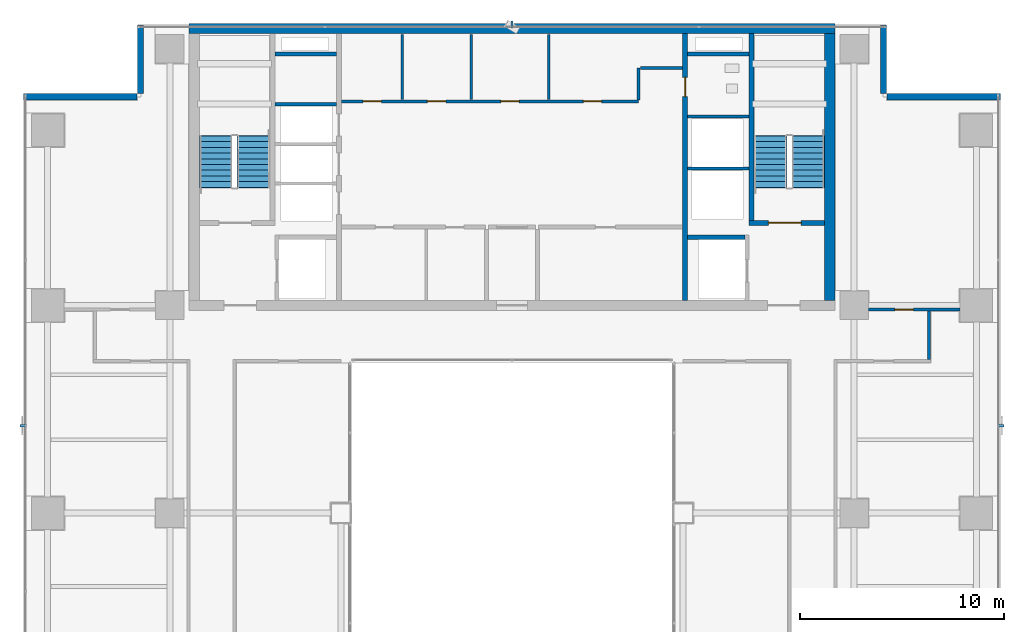
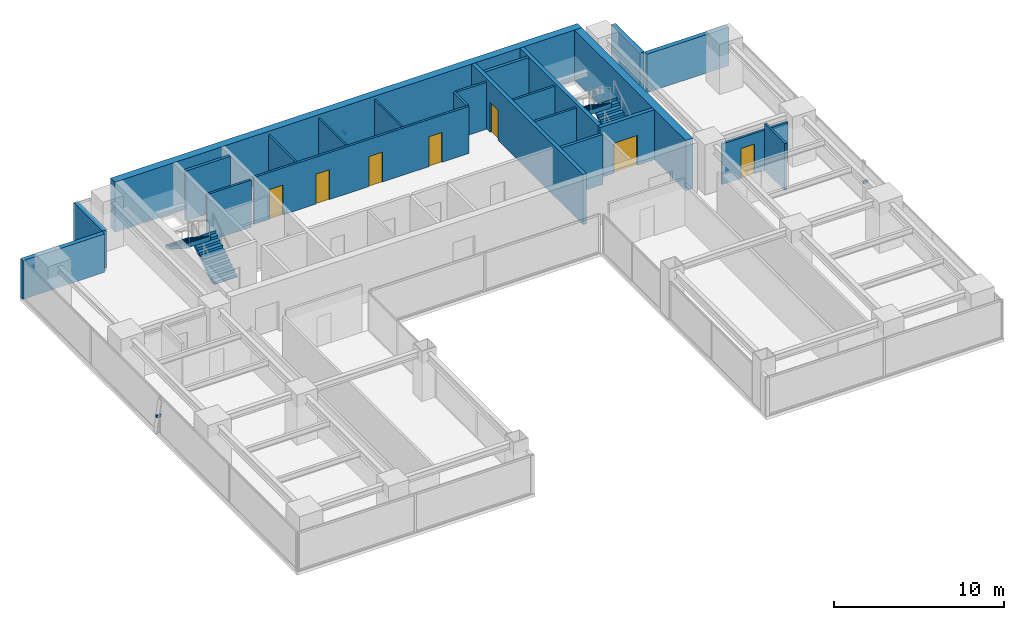
# One storey, part 25 of 28: 23 walls, 7 doors, 4 stair flights, 3 discrete accessories, 7 openings, 2 elements without a shape of their own.
"""IFC4 building model written with IfcOpenShell, lengths in metres."""

from ifc_helpers import new_model, si_unit, direction, frame, frame_2d, origin, origin_2d, place, context, subcontext, project, spatial, polyline, rectangle, outline, extrude, source, transform, mapped, material, layer, layer_set, material_profile, profile_set, type_object, element, fill, aggregate, save


model = new_model("IFC4")

# Units and contexts
model_context = context("Model", 3, precision=1e-05, world=origin(), true_north=direction((0.0, 1.0)))
body_context = subcontext(model_context, "Body", "Model", "MODEL_VIEW")
ifc_project = project(units=[si_unit("LENGTHUNIT", "METRE"), si_unit("AREAUNIT", "SQUARE_METRE"), si_unit("VOLUMEUNIT", "CUBIC_METRE"), si_unit("PLANEANGLEUNIT", "RADIAN"), si_unit("MASSUNIT", "GRAM", prefix="KILO")], contexts=[model_context])

# Site, building, storey
site_placement = place(None, origin())
site = spatial("IfcSite", under=ifc_project, at=site_placement, CompositionType="ELEMENT")
building_placement = place(site_placement, origin())
building = spatial("IfcBuilding", under=site, at=building_placement, Name="Sumidabori Civic Tower", CompositionType="ELEMENT")
storey_placement = place(building_placement, frame((0.0, 0.0, 210.800048828125)))
storey = spatial("IfcBuildingStorey", under=building, at=storey_placement, Name="L54", CompositionType="ELEMENT", Elevation=210.800048828125)

# Walls
ifc_material_1 = material(Name="Concrete C50/60", Category="concrete")
ifc_layer_1 = layer(ifc_material_1, 0.199951171875, Name="Concrete C50/60")
ifc_layer_set_1 = layer_set([ifc_layer_1], Name="Concrete C50/60")
wall_type_1 = type_object("IfcWallType", Name="WL-SHAFT-200", PredefinedType="SHEAR", material=ifc_layer_set_1)
shared_shape_1 = source(origin(), body_context, "Body", "SweptSolid", [
    extrude(rectangle(XDim=2.824951171875, YDim=0.199951171875, at=frame_2d((1.41259765625, 0.0))), origin(), (0.0, 0.0, 1.0), 3.599853515625),
])
wall_1_placement = place(storey_placement, frame((8.625, 13.550048828125, 0.0), z_axis=(0.0, 0.0, 1.0), x_axis=(1.0, 0.0, 0.0)))
element("IfcWall", 1, at=wall_1_placement, inside=storey, type_object=wall_type_1, Name="Core Shear Wall L54 EL2-N", PredefinedType="SHEAR", context=body_context, shape_type="MappedRepresentation", body=[
    mapped(shared_shape_1, transform((0.0, 0.0, 0.0), x_axis=(1.0, 0.0, 0.0), y_axis=(0.0, 1.0, 0.0), z_axis=(0.0, 0.0, 1.0), scale=1.0)),
])
shared_shape_2 = source(origin(), body_context, "Body", "SweptSolid", [
    extrude(rectangle(XDim=3.02001953125, YDim=0.199951171875, at=frame_2d((1.510009765625, 0.0))), origin(), (0.0, 0.0, 1.0), 3.599853515625),
])
for number, where, z_axis, x_axis, name in (
    (2, (-11.64501953125, 22.550048828125, 0.0), (0.0, 0.0, 1.0), (1.0, 0.0, 0.0), "Core Shear Wall L54 RIS1-S"),
    (3, (8.625, 22.550048828125, 0.0), (0.0, 0.0, 1.0), (1.0, 0.0, 0.0), "Core Shear Wall L54 RIS2-S"),
):
    element("IfcWall", number, at=place(storey_placement, frame(where, z_axis=z_axis, x_axis=x_axis)), inside=storey, type_object=wall_type_1, Name=name, PredefinedType="SHEAR", context=body_context, shape_type="MappedRepresentation", body=[
        mapped(shared_shape_2, transform((0.0, 0.0, 0.0), x_axis=(1.0, 0.0, 0.0), y_axis=(0.0, 1.0, 0.0), z_axis=(0.0, 0.0, 1.0), scale=1.0)),
    ])
ifc_layer_2 = layer(ifc_material_1, 0.5, Name="Concrete C50/60")
ifc_layer_set_2 = layer_set([ifc_layer_2], Name="Concrete C50/60")
wall_type_2 = type_object("IfcWallType", Name="WL-CORE-500", PredefinedType="SHEAR", material=ifc_layer_set_2)
shared_shape_3 = source(origin(), body_context, "Body", "SweptSolid", [
    extrude(rectangle(XDim=31.7001953125, YDim=0.5, at=frame_2d((15.85009765625, 0.0))), origin(), (0.0, 0.0, 1.0), 3.599853515625),
])
wall_2_placement = place(storey_placement, frame((-15.85009765625, 23.800048828125, 0.0), z_axis=(0.0, 0.0, 1.0), x_axis=(1.0, 0.0, 0.0)))
element("IfcWall", 4, at=wall_2_placement, inside=storey, type_object=wall_type_2, Name="Core Shear Wall L54 N", PredefinedType="SHEAR", context=body_context, shape_type="MappedRepresentation", body=[
    mapped(shared_shape_3, transform((0.0, 0.0, 0.0), x_axis=(1.0, 0.0, 0.0), y_axis=(0.0, 1.0, 0.0), z_axis=(0.0, 0.0, 1.0), scale=1.0)),
])
shared_shape_4 = source(origin(), body_context, "Body", "SweptSolid", [
    extrude(rectangle(XDim=13.10009765625, YDim=0.5, at=frame_2d((6.550048828125, 0.0))), origin(), (0.0, 0.0, 1.0), 3.599853515625),
])
wall_3_placement = place(storey_placement, frame((15.60009765625, 10.449951171875, 0.0), z_axis=(0.0, 0.0, 1.0), x_axis=(0.0, 1.0, 0.0)))
element("IfcWall", 5, at=wall_3_placement, inside=storey, type_object=wall_type_2, Name="Core Shear Wall L54 E", PredefinedType="SHEAR", context=body_context, shape_type="MappedRepresentation", body=[
    mapped(shared_shape_4, transform((0.0, 0.0, 0.0), x_axis=(1.0, 0.0, 0.0), y_axis=(0.0, 1.0, 0.0), z_axis=(0.0, 0.0, 1.0), scale=1.0)),
])

# Wall, opening, door
ifc_layer_3 = layer(ifc_material_1, 0.25, Name="Concrete C50/60")
ifc_layer_set_3 = layer_set([ifc_layer_3], Name="Concrete C50/60")
wall_type_3 = type_object("IfcWallType", Name="WL-SHAFT-250", PredefinedType="SHEAR", material=ifc_layer_set_3)
shared_shape_5 = source(origin(), body_context, "Body", "SweptSolid", [
    extrude(rectangle(XDim=13.10009765625, YDim=0.25, at=frame_2d((6.550048828125, 0.0))), origin(), (0.0, 0.0, 1.0), 3.599853515625),
])
wall_4_placement = place(storey_placement, frame((8.5, 10.449951171875, 0.0), z_axis=(0.0, 0.0, 1.0), x_axis=(0.0, 1.0, 0.0)))
wall_4 = element("IfcWall", 6, at=wall_4_placement, inside=storey, type_object=wall_type_3, Name="Core Shear Wall L54 WEB-E", PredefinedType="SHEAR", context=body_context, shape_type="MappedRepresentation", body=[
    mapped(shared_shape_5, transform((0.0, 0.0, 0.0), x_axis=(1.0, 0.0, 0.0), y_axis=(0.0, 1.0, 0.0), z_axis=(0.0, 0.0, 1.0), scale=1.0)),
])
opening_1_placement = place(wall_4_placement, frame((10.0, 0.0, 0.0)))
opening_1 = element("IfcOpeningElement", 7, at=opening_1_placement, cuts=wall_4, Name="Opening DR-2", PredefinedType="OPENING", context=body_context, shape_type="SweptSolid", body=[
    extrude(rectangle(XDim=0.949951171875, YDim=2.14990234375, at=frame_2d((0.47509765625, 1.074951171875))), frame((0.0, 0.136962890625, 0.0), z_axis=(0.0, -1.0, 0.0), x_axis=(1.0, 0.0, 0.0)), (0.0, 0.0, 1.0), 0.27392578125),
])
ifc_material_2 = material(Name="Japanese Hinoki Timber", Category="wood")
door_type_1 = type_object("IfcDoorType", Name="DR-INT-950", OperationType="NOTDEFINED", PredefinedType="DOOR", material=ifc_material_2)
shared_shape_6 = source(origin(), body_context, "Body", "SweptSolid", [
    extrude(rectangle(XDim=0.949951171875, YDim=2.14990234375, at=frame_2d((0.47509765625, 1.074951171875))), frame((0.0, 0.02490234375, 0.0), z_axis=(0.0, -1.0, 0.0), x_axis=(1.0, 0.0, 0.0)), (0.0, 0.0, 1.0), 0.050048828125),
])
door_1_placement = place(opening_1_placement, origin())
door_1 = element("IfcDoor", 8, at=door_1_placement, inside=storey, type_object=door_type_1, Name="Door DR:L54:WC-ACC", OperationType="SINGLE_SWING_RIGHT", OverallHeight=2.14990234375, OverallWidth=0.949951171875, PredefinedType="DOOR", context=body_context, shape_type="MappedRepresentation", body=[
    mapped(shared_shape_6, transform((0.0, 0.0, 0.0), x_axis=(1.0, 0.0, 0.0), y_axis=(0.0, 1.0, 0.0), z_axis=(0.0, 0.0, 1.0), scale=1.0)),
])
fill(opening_1, door_1)

shared_shape_7 = source(origin(), body_context, "Body", "SweptSolid", [
    extrude(rectangle(XDim=3.705078125, YDim=0.25, at=frame_2d((1.8525390625, 0.0))), origin(), (0.0, 0.0, 1.0), 3.599853515625),
])
wall_5_placement = place(storey_placement, frame((11.64501953125, 14.25, 0.0), z_axis=(0.0, 0.0, 1.0), x_axis=(1.0, 0.0, 0.0)))
wall_5 = element("IfcWall", 9, at=wall_5_placement, inside=storey, type_object=wall_type_3, Name="Core Shear Wall L54 ST2-S", PredefinedType="SHEAR", context=body_context, shape_type="MappedRepresentation", body=[
    mapped(shared_shape_7, transform((0.0, 0.0, 0.0), x_axis=(1.0, 0.0, 0.0), y_axis=(0.0, 1.0, 0.0), z_axis=(0.0, 0.0, 1.0), scale=1.0)),
])
opening_2_placement = place(wall_5_placement, frame((0.949951171875, 0.0, 0.0)))
opening_2 = element("IfcOpeningElement", 10, at=opening_2_placement, cuts=wall_5, Name="Opening DR-FD4", PredefinedType="OPENING", context=body_context, shape_type="SweptSolid", body=[
    extrude(rectangle(XDim=1.60009765625, YDim=2.14990234375, at=frame_2d((0.800048828125, 1.074951171875))), frame((0.0, 0.136962890625, 0.0), z_axis=(0.0, -1.0, 0.0), x_axis=(1.0, 0.0, 0.0)), (0.0, 0.0, 1.0), 0.27392578125),
])
ifc_material_3 = material(Name="Steel SN490", Category="steel")
door_type_2 = type_object("IfcDoorType", Name="DR-FD4", OperationType="DOUBLE_DOOR_SINGLE_SWING", PredefinedType="DOOR", material=ifc_material_3)
shared_shape_8 = source(origin(), body_context, "Body", "SweptSolid", [
    extrude(rectangle(XDim=1.60009765625, YDim=2.14990234375, at=frame_2d((0.800048828125, 1.074951171875))), frame((0.0, 0.02490234375, 0.0), z_axis=(0.0, -1.0, 0.0), x_axis=(1.0, 0.0, 0.0)), (0.0, 0.0, 1.0), 0.050048828125),
])
door_2_placement = place(opening_2_placement, origin())
door_2 = element("IfcDoor", 11, at=door_2_placement, inside=storey, type_object=door_type_2, Name="Door DR:L54:ST2", OperationType="DOUBLE_DOOR_SINGLE_SWING", OverallHeight=2.14990234375, OverallWidth=1.60009765625, PredefinedType="DOOR", context=body_context, shape_type="MappedRepresentation", body=[
    mapped(shared_shape_8, transform((0.0, 0.0, 0.0), x_axis=(1.0, 0.0, 0.0), y_axis=(0.0, 1.0, 0.0), z_axis=(0.0, 0.0, 1.0), scale=1.0)),
])
fill(opening_2, door_2)

# Walls
shared_shape_9 = source(origin(), body_context, "Body", "SweptSolid", [
    extrude(rectangle(XDim=9.175048828125, YDim=0.25, at=frame_2d((4.58740234375, 0.0))), origin(), (0.0, 0.0, 1.0), 3.599853515625),
])
wall_6_placement = place(storey_placement, frame((11.77001953125, 14.375, 0.0), z_axis=(0.0, 0.0, 1.0), x_axis=(0.0, 1.0, 0.0)))
element("IfcWall", 12, at=wall_6_placement, inside=storey, type_object=wall_type_3, Name="Core Shear Wall L54 ST2-W", PredefinedType="SHEAR", context=body_context, shape_type="MappedRepresentation", body=[
    mapped(shared_shape_9, transform((0.0, 0.0, 0.0), x_axis=(1.0, 0.0, 0.0), y_axis=(0.0, 1.0, 0.0), z_axis=(0.0, 0.0, 1.0), scale=1.0)),
])
ifc_material_4 = material(Name="Precast concrete C40/50", Category="concrete")
ifc_layer_4 = layer(ifc_material_4, 0.300048828125, Name="Precast concrete C40/50")
ifc_layer_set_4 = layer_set([ifc_layer_4], Name="Precast concrete C40/50")
wall_type_4 = type_object("IfcWallType", Name="WL-EXT-POD300", PredefinedType="STANDARD", material=ifc_layer_set_4)
shared_shape_10 = source(origin(), body_context, "Body", "SweptSolid", [
    extrude(rectangle(XDim=5.56005859375, YDim=0.300048828125, at=frame_2d((2.780029296875, 0.0))), origin(), (0.0, 0.0, 1.0), 2.760009765625),
])
for number, where, z_axis, x_axis, name in (
    (13, (23.97998046875, 20.449951171875, 0.0), (0.0, 0.0, 1.0), (-1.0, 0.0, 0.0), "Notched Corner Spandrel Band L54-11"),
    (14, (-18.419921875, 20.449951171875, 0.0), (0.0, 0.0, 1.0), (-1.0, 0.0, 0.0), "Notched Corner Spandrel Band L54-15"),
):
    element("IfcWall", number, at=place(storey_placement, frame(where, z_axis=z_axis, x_axis=x_axis)), inside=storey, type_object=wall_type_4, Name=name, PredefinedType="STANDARD", context=body_context, shape_type="MappedRepresentation", body=[
        mapped(shared_shape_10, transform((0.0, 0.0, 0.0), x_axis=(1.0, 0.0, 0.0), y_axis=(0.0, 1.0, 0.0), z_axis=(0.0, 0.0, 1.0), scale=1.0)),
    ])
shared_shape_11 = source(origin(), body_context, "Body", "SweptSolid", [
    extrude(rectangle(XDim=3.35986328125, YDim=0.300048828125, at=frame_2d((1.679931640625, 0.0))), origin(), (0.0, 0.0, 1.0), 2.760009765625),
])
for number, where, z_axis, x_axis, name in (
    (15, (18.25, 20.6201171875, 0.0), (0.0, 0.0, 1.0), (0.0, 1.0, 0.0), "Notched Corner Spandrel Band L54-12"),
    (16, (-18.25, 23.97998046875, 0.0), (0.0, 0.0, 1.0), (0.0, -1.0, 0.0), "Notched Corner Spandrel Band L54-14"),
):
    element("IfcWall", number, at=place(storey_placement, frame(where, z_axis=z_axis, x_axis=x_axis)), inside=storey, type_object=wall_type_4, Name=name, PredefinedType="STANDARD", context=body_context, shape_type="MappedRepresentation", body=[
        mapped(shared_shape_11, transform((0.0, 0.0, 0.0), x_axis=(1.0, 0.0, 0.0), y_axis=(0.0, 1.0, 0.0), z_axis=(0.0, 0.0, 1.0), scale=1.0)),
    ])
ifc_material_5 = material(Name="Gypsum Plasterboard Acoustic Partition")
ifc_layer_5 = layer(ifc_material_5, 0.14990234375, Name="Gypsum Plasterboard Acoustic Partition")
ifc_layer_set_5 = layer_set([ifc_layer_5], Name="Gypsum Plasterboard Acoustic Partition")
wall_type_5 = type_object("IfcWallType", Name="WL-PART-150", PredefinedType="PARTITIONING", material=ifc_layer_set_5)
shared_shape_12 = source(origin(), body_context, "Body", "SweptSolid", [
    extrude(rectangle(XDim=3.010009765625, YDim=0.14990234375, at=frame_2d((1.5048828125, 0.0))), origin(), (0.0, 0.0, 1.0), 3.3798828125),
])
for number, where, z_axis, x_axis, name in (
    (17, (-11.639892578125, 20.080078125, 0.0), (0.0, 0.0, 1.0), (1.0, 0.0, 0.0), "Interior Partition WL:L54:DIV-PLH3"),
    (18, (8.6298828125, 16.919921875, 0.0), (0.0, 0.0, 1.0), (1.0, 0.0, 0.0), "Interior Partition WL:L54:DIV-OBS1"),
    (19, (8.6298828125, 19.469970703125, 0.0), (0.0, 0.0, 1.0), (1.0, 0.0, 0.0), "Interior Partition WL:L54:DIV-OBS2"),
):
    element("IfcWall", number, at=place(storey_placement, frame(where, z_axis=z_axis, x_axis=x_axis)), inside=storey, type_object=wall_type_5, Name=name, PredefinedType="PARTITIONING", context=body_context, shape_type="MappedRepresentation", body=[
        mapped(shared_shape_12, transform((0.0, 0.0, 0.0), x_axis=(1.0, 0.0, 0.0), y_axis=(0.0, 1.0, 0.0), z_axis=(0.0, 0.0, 1.0), scale=1.0)),
    ])

# Wall, openings, doors
shared_shape_13 = source(origin(), body_context, "Body", "SweptSolid", [
    extrude(rectangle(XDim=14.590087890625, YDim=0.14990234375, at=frame_2d((7.294921875, 0.0))), origin(), (0.0, 0.0, 1.0), 3.3798828125),
])
wall_7_placement = place(storey_placement, frame((-8.3701171875, 20.219970703125, 0.0), z_axis=(0.0, 0.0, 1.0), x_axis=(1.0, 0.0, 0.0)))
wall_7 = element("IfcWall", 20, at=wall_7_placement, inside=storey, type_object=wall_type_5, Name="Interior Partition WL:L54:CBAND-M", PredefinedType="PARTITIONING", context=body_context, shape_type="MappedRepresentation", body=[
    mapped(shared_shape_13, transform((0.0, 0.0, 0.0), x_axis=(1.0, 0.0, 0.0), y_axis=(0.0, 1.0, 0.0), z_axis=(0.0, 0.0, 1.0), scale=1.0)),
])
opening_3_placement = place(wall_7_placement, frame((1.06005859375, 0.0, 0.0)))
opening_3 = element("IfcOpeningElement", 21, at=opening_3_placement, cuts=wall_7, Name="Opening DR-1", PredefinedType="OPENING", context=body_context, shape_type="SweptSolid", body=[
    extrude(rectangle(XDim=0.89990234375, YDim=2.14990234375, at=frame_2d((0.449951171875, 1.074951171875))), frame((0.0, 0.0869140625, 0.0), z_axis=(0.0, -1.0, 0.0), x_axis=(1.0, 0.0, 0.0)), (0.0, 0.0, 1.0), 0.173828125),
])
opening_4_placement = place(wall_7_placement, frame((4.219970703125, 0.0, 0.0)))
opening_4 = element("IfcOpeningElement", 22, at=opening_4_placement, cuts=wall_7, Name="Opening DR-1", PredefinedType="OPENING", context=body_context, shape_type="SweptSolid", body=[
    extrude(rectangle(XDim=0.89990234375, YDim=2.14990234375, at=frame_2d((0.449951171875, 1.074951171875))), frame((0.0, 0.0869140625, 0.0), z_axis=(0.0, -1.0, 0.0), x_axis=(1.0, 0.0, 0.0)), (0.0, 0.0, 1.0), 0.173828125),
])
opening_5_placement = place(wall_7_placement, frame((7.820068359375, 0.0, 0.0)))
opening_5 = element("IfcOpeningElement", 23, at=opening_5_placement, cuts=wall_7, Name="Opening DR-1", PredefinedType="OPENING", context=body_context, shape_type="SweptSolid", body=[
    extrude(rectangle(XDim=0.89990234375, YDim=2.14990234375, at=frame_2d((0.449951171875, 1.074951171875))), frame((0.0, 0.0869140625, 0.0), z_axis=(0.0, -1.0, 0.0), x_axis=(1.0, 0.0, 0.0)), (0.0, 0.0, 1.0), 0.173828125),
])
opening_6_placement = place(wall_7_placement, frame((11.8701171875, 0.0, 0.0)))
opening_6 = element("IfcOpeningElement", 24, at=opening_6_placement, cuts=wall_7, Name="Opening DR-1", PredefinedType="OPENING", context=body_context, shape_type="SweptSolid", body=[
    extrude(rectangle(XDim=0.89990234375, YDim=2.14990234375, at=frame_2d((0.449951171875, 1.074951171875))), frame((0.0, 0.0869140625, 0.0), z_axis=(0.0, -1.0, 0.0), x_axis=(1.0, 0.0, 0.0)), (0.0, 0.0, 1.0), 0.173828125),
])
door_type_3 = type_object("IfcDoorType", Name="DR-INT-900", OperationType="NOTDEFINED", PredefinedType="DOOR", material=ifc_material_2)
shared_shape_14 = source(origin(), body_context, "Body", "SweptSolid", [
    extrude(rectangle(XDim=0.89990234375, YDim=2.14990234375, at=frame_2d((0.449951171875, 1.074951171875))), frame((0.0, 0.02490234375, 0.0), z_axis=(0.0, -1.0, 0.0), x_axis=(1.0, 0.0, 0.0)), (0.0, 0.0, 1.0), 0.050048828125),
])
door_3_placement = place(opening_3_placement, origin())
door_3 = element("IfcDoor", 25, at=door_3_placement, inside=storey, type_object=door_type_3, Name="Door DR:L54:CB-1", OperationType="SINGLE_SWING_LEFT", OverallHeight=2.14990234375, OverallWidth=0.89990234375, PredefinedType="DOOR", context=body_context, shape_type="MappedRepresentation", body=[
    mapped(shared_shape_14, transform((0.0, 0.0, 0.0), x_axis=(1.0, 0.0, 0.0), y_axis=(0.0, 1.0, 0.0), z_axis=(0.0, 0.0, 1.0), scale=1.0)),
])
fill(opening_3, door_3)
door_4_placement = place(opening_4_placement, origin())
door_4 = element("IfcDoor", 26, at=door_4_placement, inside=storey, type_object=door_type_3, Name="Door DR:L54:CB-2", OperationType="SINGLE_SWING_RIGHT", OverallHeight=2.14990234375, OverallWidth=0.89990234375, PredefinedType="DOOR", context=body_context, shape_type="MappedRepresentation", body=[
    mapped(shared_shape_14, transform((0.0, 0.0, 0.0), x_axis=(1.0, 0.0, 0.0), y_axis=(0.0, 1.0, 0.0), z_axis=(0.0, 0.0, 1.0), scale=1.0)),
])
fill(opening_4, door_4)
door_5_placement = place(opening_5_placement, origin())
door_5 = element("IfcDoor", 27, at=door_5_placement, inside=storey, type_object=door_type_3, Name="Door DR:L54:CB-3", OperationType="SINGLE_SWING_LEFT", OverallHeight=2.14990234375, OverallWidth=0.89990234375, PredefinedType="DOOR", context=body_context, shape_type="MappedRepresentation", body=[
    mapped(shared_shape_14, transform((0.0, 0.0, 0.0), x_axis=(1.0, 0.0, 0.0), y_axis=(0.0, 1.0, 0.0), z_axis=(0.0, 0.0, 1.0), scale=1.0)),
])
fill(opening_5, door_5)
door_6_placement = place(opening_6_placement, origin())
door_6 = element("IfcDoor", 28, at=door_6_placement, inside=storey, type_object=door_type_3, Name="Door DR:L54:CB-4", OperationType="SINGLE_SWING_RIGHT", OverallHeight=2.14990234375, OverallWidth=0.89990234375, PredefinedType="DOOR", context=body_context, shape_type="MappedRepresentation", body=[
    mapped(shared_shape_14, transform((0.0, 0.0, 0.0), x_axis=(1.0, 0.0, 0.0), y_axis=(0.0, 1.0, 0.0), z_axis=(0.0, 0.0, 1.0), scale=1.0)),
])
fill(opening_6, door_6)

# Walls
shared_shape_15 = source(origin(), body_context, "Body", "SweptSolid", [
    extrude(rectangle(XDim=1.550048828125, YDim=0.14990234375, at=frame_2d((0.77490234375, 0.0))), origin(), (0.0, 0.0, 1.0), 3.3798828125),
])
wall_8_placement = place(storey_placement, frame((6.219970703125, 20.300048828125, 0.0), z_axis=(0.0, 0.0, 1.0), x_axis=(0.0, 1.0, 0.0)))
element("IfcWall", 29, at=wall_8_placement, inside=storey, type_object=wall_type_5, Name="Interior Partition WL:L54:CBAND-ME1", PredefinedType="PARTITIONING", context=body_context, shape_type="MappedRepresentation", body=[
    mapped(shared_shape_15, transform((0.0, 0.0, 0.0), x_axis=(1.0, 0.0, 0.0), y_axis=(0.0, 1.0, 0.0), z_axis=(0.0, 0.0, 1.0), scale=1.0)),
])
shared_shape_16 = source(origin(), body_context, "Body", "SweptSolid", [
    extrude(rectangle(XDim=2.070068359375, YDim=0.14990234375, at=frame_2d((1.03515625, 0.0))), origin(), (0.0, 0.0, 1.0), 3.3798828125),
])
wall_9_placement = place(storey_placement, frame((6.300048828125, 21.85009765625, 0.0), z_axis=(0.0, 0.0, 1.0), x_axis=(1.0, 0.0, 0.0)))
element("IfcWall", 30, at=wall_9_placement, inside=storey, type_object=wall_type_5, Name="Interior Partition WL:L54:CBAND-ME2", PredefinedType="PARTITIONING", context=body_context, shape_type="MappedRepresentation", body=[
    mapped(shared_shape_16, transform((0.0, 0.0, 0.0), x_axis=(1.0, 0.0, 0.0), y_axis=(0.0, 1.0, 0.0), z_axis=(0.0, 0.0, 1.0), scale=1.0)),
])
ifc_layer_6 = layer(ifc_material_5, 0.1201171875, Name="Gypsum Plasterboard Acoustic Partition")
ifc_layer_set_6 = layer_set([ifc_layer_6], Name="Gypsum Plasterboard Acoustic Partition")
wall_type_6 = type_object("IfcWallType", Name="WL-PART-120", PredefinedType="PARTITIONING", material=ifc_layer_set_6)
shared_shape_17 = source(origin(), body_context, "Body", "SweptSolid", [
    extrude(rectangle(XDim=3.18994140625, YDim=0.1201171875, at=frame_2d((1.594970703125, 0.0))), origin(), (0.0, 0.0, 1.0), 3.3798828125),
])
for number, where, z_axis, x_axis, name in (
    (31, (-5.39990234375, 20.320068359375, 0.0), (0.0, 0.0, 1.0), (0.0, 1.0, 0.0), "Interior Partition WL:L54:LV8-S1"),
    (32, (-2.0, 20.320068359375, 0.0), (0.0, 0.0, 1.0), (0.0, 1.0, 0.0), "Interior Partition WL:L54:LV8-S2"),
    (33, (1.800048828125, 20.320068359375, 0.0), (0.0, 0.0, 1.0), (0.0, 1.0, 0.0), "Interior Partition WL:L54:LV8-S3"),
):
    element("IfcWall", number, at=place(storey_placement, frame(where, z_axis=z_axis, x_axis=x_axis)), inside=storey, type_object=wall_type_6, Name=name, PredefinedType="PARTITIONING", context=body_context, shape_type="MappedRepresentation", body=[
        mapped(shared_shape_17, transform((0.0, 0.0, 0.0), x_axis=(1.0, 0.0, 0.0), y_axis=(0.0, 1.0, 0.0), z_axis=(0.0, 0.0, 1.0), scale=1.0)),
    ])

# Wall, opening, door
shared_shape_18 = source(origin(), body_context, "Body", "SweptSolid", [
    extrude(rectangle(XDim=4.47998046875, YDim=0.14990234375, at=frame_2d((2.239990234375, 0.0))), origin(), (0.0, 0.0, 1.0), 2.9150390625),
])
wall_10_placement = place(storey_placement, frame((17.510009765625, 10.0, 0.0), z_axis=(0.0, 0.0, 1.0), x_axis=(1.0, 0.0, 0.0)))
wall_10 = element("IfcWall", 34, at=wall_10_placement, inside=storey, type_object=wall_type_5, Name="Interior Partition WL:L54:FLK-NE", PredefinedType="PARTITIONING", context=body_context, shape_type="MappedRepresentation", body=[
    mapped(shared_shape_18, transform((0.0, 0.0, 0.0), x_axis=(1.0, 0.0, 0.0), y_axis=(0.0, 1.0, 0.0), z_axis=(0.0, 0.0, 1.0), scale=1.0)),
])
opening_7_placement = place(wall_10_placement, frame((1.294921875, 0.0, 0.0)))
opening_7 = element("IfcOpeningElement", 35, at=opening_7_placement, cuts=wall_10, Name="Opening DR-1", PredefinedType="OPENING", context=body_context, shape_type="SweptSolid", body=[
    extrude(rectangle(XDim=0.89990234375, YDim=2.14990234375, at=frame_2d((0.449951171875, 1.074951171875))), frame((0.0, 0.0869140625, 0.0), z_axis=(0.0, -1.0, 0.0), x_axis=(1.0, 0.0, 0.0)), (0.0, 0.0, 1.0), 0.173828125),
])
door_7_placement = place(opening_7_placement, origin())
door_7 = element("IfcDoor", 36, at=door_7_placement, inside=storey, type_object=door_type_3, Name="Door DR:L54:FLK-NE", OperationType="SINGLE_SWING_RIGHT", OverallHeight=2.14990234375, OverallWidth=0.89990234375, PredefinedType="DOOR", context=body_context, shape_type="MappedRepresentation", body=[
    mapped(shared_shape_14, transform((0.0, 0.0, 0.0), x_axis=(1.0, 0.0, 0.0), y_axis=(0.0, 1.0, 0.0), z_axis=(0.0, 0.0, 1.0), scale=1.0)),
])
fill(opening_7, door_7)

# Wall
shared_shape_19 = source(origin(), body_context, "Body", "SweptSolid", [
    extrude(rectangle(XDim=2.364990234375, YDim=0.14990234375, at=frame_2d((1.1826171875, 0.0))), origin(), (0.0, 0.0, 1.0), 3.3798828125),
])
wall_11_placement = place(storey_placement, frame((20.47509765625, 7.554931640625, 0.0), z_axis=(0.0, 0.0, 1.0), x_axis=(0.0, 1.0, 0.0)))
element("IfcWall", 37, at=wall_11_placement, inside=storey, type_object=wall_type_5, Name="Interior Partition WL:L54:CORR-VNE", PredefinedType="PARTITIONING", context=body_context, shape_type="MappedRepresentation", body=[
    mapped(shared_shape_19, transform((0.0, 0.0, 0.0), x_axis=(1.0, 0.0, 0.0), y_axis=(0.0, 1.0, 0.0), z_axis=(0.0, 0.0, 1.0), scale=1.0)),
])

# Stair, stair flights
ifc_material_6 = material(Name="Concrete C40/50", Category="concrete")
stair_type = type_object("IfcStairType", Name="ST-CORE-1600", PredefinedType="HALF_TURN_STAIR", material=ifc_material_6)
stair_1_placement = place(storey_placement, origin())
stair_1 = element("IfcStair", 38, at=stair_1_placement, inside=storey, type_object=stair_type, Name="L54 ST-1", PredefinedType="HALF_TURN_STAIR")
stair_flight_type = type_object("IfcStairFlightType", Name="SF-CORE-1600", PredefinedType="STRAIGHT", material=ifc_material_6)
shared_shape_20 = source(origin(), body_context, "Body", "SweptSolid", [
    extrude(outline(polyline([(-0.02490234375, 0.0), (-0.02490234375, 0.0400390625), (0.0, 0.0400390625), (0.0, 0.179931640625), (0.280029296875, 0.179931640625), (0.280029296875, 0.360107421875), (0.56005859375, 0.360107421875), (0.56005859375, 0.5400390625), (0.840087890625, 0.5400390625), (0.840087890625, 0.719970703125), (1.1201171875, 0.719970703125), (1.1201171875, 0.89990234375), (1.39990234375, 0.89990234375), (1.39990234375, 1.080078125), (1.679931640625, 1.080078125), (1.679931640625, 1.260009765625), (1.9599609375, 1.260009765625), (1.9599609375, 1.43994140625), (2.239990234375, 1.43994140625), (2.239990234375, 1.6201171875), (2.52001953125, 1.6201171875), (2.52001953125, 1.800048828125), (2.544921875, 1.800048828125), (2.544921875, 1.650146484375), (2.52001953125, 1.44189453125), (0.277099609375, 0.0), (-0.02490234375, 0.0)])), frame((0.0, 0.800048828125, 0.0), z_axis=(0.0, -1.0, 0.0), x_axis=(1.0, 0.0, 0.0)), (0.0, 0.0, 1.0), 1.60009765625),
])
stair_flight_1_placement = place(storey_placement, frame((-12.699951171875, 16.0, 0.0), z_axis=(0.0, 0.0, 1.0), x_axis=(0.0, 1.0, 0.0)))
stair_flight_1 = element("IfcStairFlight", 39, at=stair_flight_1_placement, type_object=stair_flight_type, Name="ST-1 flight 1", NumberOfRisers=10, NumberOfTreads=9, PredefinedType="STRAIGHT", RiserHeight=0.18, TreadLength=0.28, context=body_context, shape_type="MappedRepresentation", body=[
    mapped(shared_shape_20, transform((0.0, 0.0, 0.0), x_axis=(1.0, 0.0, 0.0), y_axis=(0.0, 1.0, 0.0), z_axis=(0.0, 0.0, 1.0), scale=1.0)),
])
stair_flight_2_placement = place(storey_placement, frame((-14.5400390625, 18.52001953125, 1.800048828125), z_axis=(0.0, 0.0, 1.0), x_axis=(0.0, -1.0, 0.0)))
stair_flight_2 = element("IfcStairFlight", 40, at=stair_flight_2_placement, type_object=stair_flight_type, Name="ST-1 flight 2", NumberOfRisers=10, NumberOfTreads=9, PredefinedType="STRAIGHT", RiserHeight=0.18, TreadLength=0.28, context=body_context, shape_type="MappedRepresentation", body=[
    mapped(shared_shape_20, transform((0.0, 0.0, 0.0), x_axis=(1.0, 0.0, 0.0), y_axis=(0.0, 1.0, 0.0), z_axis=(0.0, 0.0, 1.0), scale=1.0)),
])
aggregate(stair_1, [stair_flight_1, stair_flight_2])

stair_2_placement = place(storey_placement, origin())
stair_2 = element("IfcStair", 41, at=stair_2_placement, inside=storey, type_object=stair_type, Name="L54 ST-2", PredefinedType="HALF_TURN_STAIR")
stair_flight_3_placement = place(storey_placement, frame((14.5400390625, 16.0, 0.0), z_axis=(0.0, 0.0, 1.0), x_axis=(0.0, 1.0, 0.0)))
stair_flight_3 = element("IfcStairFlight", 42, at=stair_flight_3_placement, type_object=stair_flight_type, Name="ST-2 flight 1", NumberOfRisers=10, NumberOfTreads=9, PredefinedType="STRAIGHT", RiserHeight=0.18, TreadLength=0.28, context=body_context, shape_type="MappedRepresentation", body=[
    mapped(shared_shape_20, transform((0.0, 0.0, 0.0), x_axis=(1.0, 0.0, 0.0), y_axis=(0.0, 1.0, 0.0), z_axis=(0.0, 0.0, 1.0), scale=1.0)),
])
stair_flight_4_placement = place(storey_placement, frame((12.699951171875, 18.52001953125, 1.800048828125), z_axis=(0.0, 0.0, 1.0), x_axis=(0.0, -1.0, 0.0)))
stair_flight_4 = element("IfcStairFlight", 43, at=stair_flight_4_placement, type_object=stair_flight_type, Name="ST-2 flight 2", NumberOfRisers=10, NumberOfTreads=9, PredefinedType="STRAIGHT", RiserHeight=0.18, TreadLength=0.28, context=body_context, shape_type="MappedRepresentation", body=[
    mapped(shared_shape_20, transform((0.0, 0.0, 0.0), x_axis=(1.0, 0.0, 0.0), y_axis=(0.0, 1.0, 0.0), z_axis=(0.0, 0.0, 1.0), scale=1.0)),
])
aggregate(stair_2, [stair_flight_3, stair_flight_4])

# Discrete accessories
ifc_material_7 = material(Name="Stainless Steel Hairline Finish", Category="steel")
ifc_material_profile = material_profile(ifc_material_7, rectangle(XDim=0.1201171875, YDim=0.179931640625, at=origin_2d()), Name="STEEL BRACKET 180x120")
ifc_profile_set = profile_set([ifc_material_profile], Name="Stainless Steel Hairline Finish")
discrete_accessory_type = type_object("IfcDiscreteAccessoryType", Name="AC-BRK-180", PredefinedType="BRACKET", material=ifc_profile_set)
shared_shape_21 = source(origin(), body_context, "Body", "SweptSolid", [
    extrude(rectangle(XDim=0.1201171875, YDim=0.179931640625, at=origin_2d()), origin(), (0.0, 0.0, 1.0), 0.329833984375),
])
for number, where, z_axis, x_axis, name in (
    (44, (23.830078125, 4.300048828125, 1.369873046875), (1.0, 0.0, 0.0), (0.0, 1.0, 0.0), "Bronze Fin Fixing Bracket L54-02"),
    (45, (0.0, 23.830078125, 1.369873046875), (0.0, 1.0, 0.0), (-1.0, 0.0, 0.0), "Bronze Fin Fixing Bracket L54-02"),
    (46, (-23.830078125, 4.300048828125, 1.369873046875), (-1.0, 0.0, 0.0), (0.0, -1.0, 0.0), "Bronze Fin Fixing Bracket L54-02"),
):
    element("IfcDiscreteAccessory", number, at=place(storey_placement, frame(where, z_axis=z_axis, x_axis=x_axis)), inside=storey, type_object=discrete_accessory_type, Name=name, PredefinedType="BRACKET", context=body_context, shape_type="MappedRepresentation", body=[
        mapped(shared_shape_21, transform((0.0, 0.0, 0.0), x_axis=(1.0, 0.0, 0.0), y_axis=(0.0, 1.0, 0.0), z_axis=(0.0, 0.0, 1.0), scale=1.0)),
    ])

save(model, "model.ifc")
